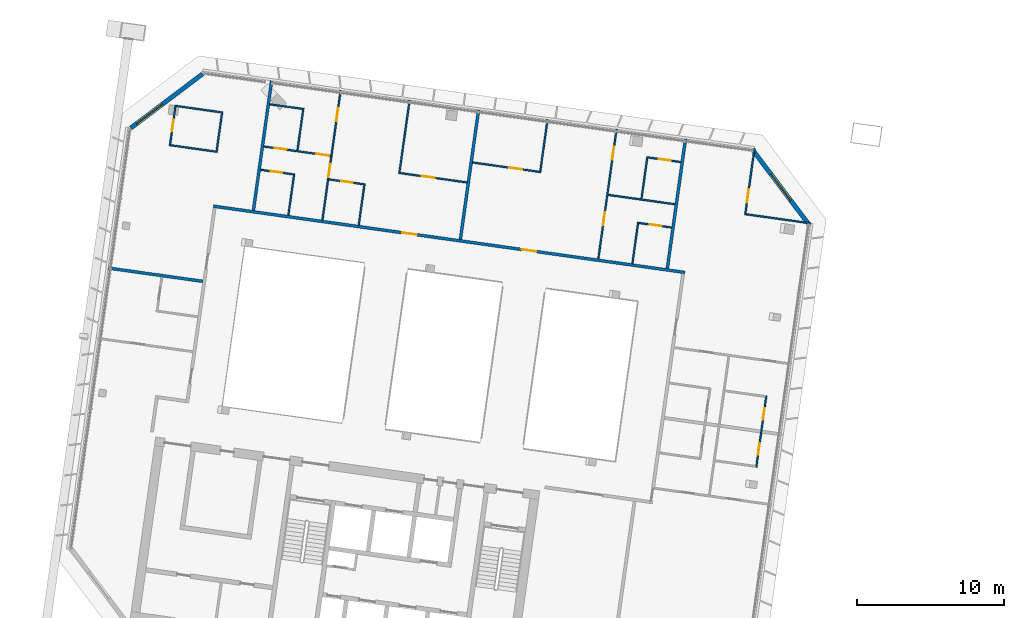
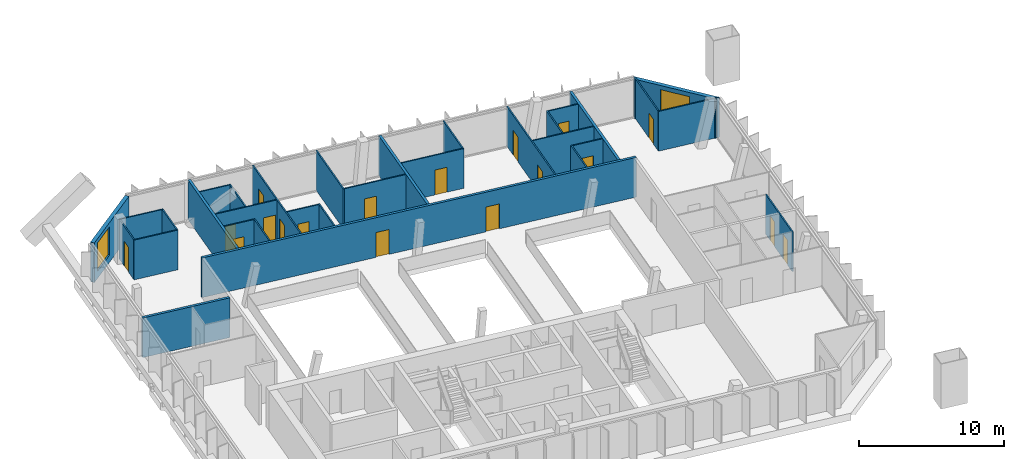
# One storey, part 16 of 25: 32 walls, 18 doors, 2 windows, 20 openings.
"""IFC4 building model written with IfcOpenShell, lengths in metres."""

from ifc_helpers import new_model, si_unit, direction, frame, frame_2d, origin, place, context, subcontext, project, spatial, rectangle, extrude, material, layer, layer_set, type_object, element, fill, save


model = new_model("IFC4")

# Units and contexts
model_context = context("Model", 3, precision=1e-05, world=origin(), true_north=direction((0.0, 1.0)))
body_context = subcontext(model_context, "Body", "Model", "MODEL_VIEW")
ifc_project = project(units=[si_unit("LENGTHUNIT", "METRE"), si_unit("AREAUNIT", "SQUARE_METRE"), si_unit("VOLUMEUNIT", "CUBIC_METRE"), si_unit("PLANEANGLEUNIT", "RADIAN"), si_unit("MASSUNIT", "GRAM", prefix="KILO")], contexts=[model_context])

# Site, building, storey
site_placement = place(None, origin())
site = spatial("IfcSite", under=ifc_project, at=site_placement, CompositionType="ELEMENT")
building_placement = place(site_placement, origin())
building = spatial("IfcBuilding", under=site, at=building_placement, Name="Mirante Cascada Hotel Towers", CompositionType="ELEMENT")
storey_placement = place(building_placement, frame((0.0, 0.0, 247.0)))
storey = spatial("IfcBuildingStorey", under=building, at=storey_placement, Name="L59", CompositionType="ELEMENT", Elevation=247.0)

# Wall
ifc_material_1 = material(Name="Fire-rated plasterboard on metal studs")
ifc_layer_1 = layer(ifc_material_1, 0.2)
ifc_layer_set_1 = layer_set([ifc_layer_1], Name="Compartment wall 200 EI 120")
wall_type_1 = type_object("IfcWallType", Name="Compartment wall 200 EI 120", PredefinedType="PARTITIONING", material=ifc_layer_set_1)
wall_1_placement = place(storey_placement, frame((-64.977, 7.7965, 0.0), z_axis=(0.0, 0.0, 1.0), x_axis=(0.9902688, -0.1391681, 0.0)))
element("IfcWall", 1, at=wall_1_placement, inside=storey, type_object=wall_type_1, Name="Wall 1-L59-13", PredefinedType="PARTITIONING", context=body_context, shape_type="SweptSolid", body=[
    extrude(rectangle(XDim=6.5001, YDim=0.2, at=frame_2d((3.25, 0.0))), origin(), (0.0, 0.0, 1.0), 3.35),
])

# Wall, openings, doors
wall_2_placement = place(storey_placement, frame((-25.7365, 7.4991, 0.0), z_axis=(0.0, 0.0, 1.0), x_axis=(-0.9902681, 0.1391728, 0.0)))
wall_2 = element("IfcWall", 2, at=wall_2_placement, inside=storey, type_object=wall_type_1, Name="Wall 1-L59-14", PredefinedType="PARTITIONING", context=body_context, shape_type="SweptSolid", body=[
    extrude(rectangle(XDim=32.4, YDim=0.2, at=frame_2d((16.2, 0.0))), origin(), (0.0, 0.0, 1.0), 3.35),
])
opening_1_placement = place(wall_2_placement, frame((10.1978, 0.0, 0.0)))
opening_1 = element("IfcOpeningElement", 3, at=opening_1_placement, cuts=wall_2, Name="Opening D1-L59-07", PredefinedType="OPENING", context=body_context, shape_type="SweptSolid", body=[
    extrude(rectangle(XDim=1.0, YDim=2.1, at=frame_2d((0.5, 1.05))), frame((0.0, 0.1, 0.0), z_axis=(0.0, -1.0, 0.0), x_axis=(1.0, 0.0, 0.0)), (0.0, 0.0, 1.0), 0.2),
])
opening_2_placement = place(wall_2_placement, frame((18.4312, 0.0, 0.0)))
opening_2 = element("IfcOpeningElement", 4, at=opening_2_placement, cuts=wall_2, Name="Opening D1-L59-08", PredefinedType="OPENING", context=body_context, shape_type="SweptSolid", body=[
    extrude(rectangle(XDim=1.0, YDim=2.1, at=frame_2d((0.5, 1.05))), frame((0.0, 0.1, 0.0), z_axis=(0.0, -1.0, 0.0), x_axis=(1.0, 0.0, 0.0)), (0.0, 0.0, 1.0), 0.2),
])
ifc_material_2 = material(Name="Fire-rated timber door leaf", Category="wood")
door_type_1 = type_object("IfcDoorType", Name="Entrance door DG1 1000x2100 EI 60", OperationType="SINGLE_SWING_LEFT", PredefinedType="DOOR", material=ifc_material_2)
door_1_placement = place(opening_1_placement, frame((1.0, 0.0, 0.0), z_axis=(0.0, 0.0, 1.0), x_axis=(-1.0, 0.0, 0.0)))
door_1 = element("IfcDoor", 5, at=door_1_placement, inside=storey, type_object=door_type_1, Name="Door D1-L59-07", OperationType="SINGLE_SWING_RIGHT", OverallHeight=2.1, OverallWidth=1.0, PredefinedType="DOOR", context=body_context, shape_type="SweptSolid", body=[
    extrude(rectangle(XDim=1.0, YDim=2.1, at=frame_2d((0.5, 1.05))), frame((0.0, 0.025, 0.0), z_axis=(0.0, -1.0, 0.0), x_axis=(1.0, 0.0, 0.0)), (0.0, 0.0, 1.0), 0.05),
])
fill(opening_1, door_1)
door_2_placement = place(opening_2_placement, frame((1.0, 0.0, 0.0), z_axis=(0.0, 0.0, 1.0), x_axis=(-1.0, 0.0, 0.0)))
door_2 = element("IfcDoor", 6, at=door_2_placement, inside=storey, type_object=door_type_1, Name="Door D1-L59-08", OperationType="SINGLE_SWING_RIGHT", OverallHeight=2.1, OverallWidth=1.0, PredefinedType="DOOR", context=body_context, shape_type="SweptSolid", body=[
    extrude(rectangle(XDim=1.0, YDim=2.1, at=frame_2d((0.5, 1.05))), frame((0.0, 0.025, 0.0), z_axis=(0.0, -1.0, 0.0), x_axis=(1.0, 0.0, 0.0)), (0.0, 0.0, 1.0), 0.05),
])
fill(opening_2, door_2)

# Walls
for number, where, z_axis, x_axis, name in (
    (7, (-26.9276, 7.7675, 0.0), (0.0, 0.0, 1.0), (0.1391684, 0.9902687, 0.0), "Wall 1-L59-34"),
    (8, (-39.7719, 18.5601, 0.0), (0.0, 0.0, 1.0), (-0.1391684, -0.9902687, 0.0), "Wall 1-L59-39"),
    (9, (-53.8549, 20.5393, 0.0), (0.0, 0.0, 1.0), (-0.1391684, -0.9902687, 0.0), "Wall 1-L59-45"),
):
    element("IfcWall", number, at=place(storey_placement, frame(where, z_axis=z_axis, x_axis=x_axis)), inside=storey, type_object=wall_type_1, Name=name, PredefinedType="PARTITIONING", context=body_context, shape_type="SweptSolid", body=[
        extrude(rectangle(XDim=8.9, YDim=0.2, at=frame_2d((4.45, 0.0))), origin(), (0.0, 0.0, 1.0), 3.35),
    ])

# Wall, opening, door
ifc_material_3 = material(Name="Plasterboard on metal studs")
ifc_layer_2 = layer(ifc_material_3, 0.1)
ifc_layer_set_2 = layer_set([ifc_layer_2], Name="Partition 100")
wall_type_2 = type_object("IfcWallType", Name="Partition 100", PredefinedType="PARTITIONING", material=ifc_layer_set_2)
wall_3_placement = place(storey_placement, frame((-28.8651, 10.8673, 0.0), z_axis=(0.0, 0.0, 1.0), x_axis=(0.9902643, -0.1391997, 0.0)))
wall_3 = element("IfcWall", 10, at=wall_3_placement, inside=storey, type_object=wall_type_2, Name="Wall 1-L59-15", PredefinedType="PARTITIONING", context=body_context, shape_type="SweptSolid", body=[
    extrude(rectangle(XDim=2.25, YDim=0.1, at=frame_2d((1.125, 0.0))), origin(), (0.0, 0.0, 1.0), 3.35),
])
opening_3_placement = place(wall_3_placement, frame((0.75, 0.0, 0.0)))
opening_3 = element("IfcOpeningElement", 11, at=opening_3_placement, cuts=wall_3, Name="Opening D1-L59-09", PredefinedType="OPENING", context=body_context, shape_type="SweptSolid", body=[
    extrude(rectangle(XDim=0.8, YDim=2.1, at=frame_2d((0.4, 1.05))), frame((0.0, 0.05, 0.0), z_axis=(0.0, -1.0, 0.0), x_axis=(1.0, 0.0, 0.0)), (0.0, 0.0, 1.0), 0.1),
])
ifc_material_4 = material(Name="Timber door leaf", Category="wood")
door_type_2 = type_object("IfcDoorType", Name="Bathroom door DG4 800x2100", OperationType="SINGLE_SWING_LEFT", PredefinedType="DOOR", material=ifc_material_4)
door_3_placement = place(opening_3_placement, frame((0.8, 0.0, 0.0), z_axis=(0.0, 0.0, 1.0), x_axis=(-1.0, 0.0, 0.0)))
door_3 = element("IfcDoor", 12, at=door_3_placement, inside=storey, type_object=door_type_2, Name="Door D1-L59-09", OperationType="SINGLE_SWING_RIGHT", OverallHeight=2.1, OverallWidth=0.8, PredefinedType="DOOR", context=body_context, shape_type="SweptSolid", body=[
    extrude(rectangle(XDim=0.8, YDim=2.1, at=frame_2d((0.4, 1.05))), frame((0.0, 0.025, 0.0), z_axis=(0.0, -1.0, 0.0), x_axis=(1.0, 0.0, 0.0)), (0.0, 0.0, 1.0), 0.05),
])
fill(opening_3, door_3)

wall_4_placement = place(storey_placement, frame((-47.5885, 13.4987, 0.0), z_axis=(0.0, 0.0, 1.0), x_axis=(-0.9902676, 0.1391761, 0.0)))
wall_4 = element("IfcWall", 13, at=wall_4_placement, inside=storey, type_object=wall_type_2, Name="Wall 1-L59-16", PredefinedType="PARTITIONING", context=body_context, shape_type="SweptSolid", body=[
    extrude(rectangle(XDim=2.3948, YDim=0.1, at=frame_2d((1.1974, 0.0))), origin(), (0.0, 0.0, 1.0), 3.35),
])
opening_4_placement = place(wall_4_placement, frame((0.75, 0.0, 0.0)))
opening_4 = element("IfcOpeningElement", 14, at=opening_4_placement, cuts=wall_4, Name="Opening D1-L59-10", PredefinedType="OPENING", context=body_context, shape_type="SweptSolid", body=[
    extrude(rectangle(XDim=0.8, YDim=2.1, at=frame_2d((0.4, 1.05))), frame((0.0, 0.05, 0.0), z_axis=(0.0, -1.0, 0.0), x_axis=(1.0, 0.0, 0.0)), (0.0, 0.0, 1.0), 0.1),
])
door_4_placement = place(opening_4_placement, frame((0.8, 0.0, 0.0), z_axis=(0.0, 0.0, 1.0), x_axis=(-1.0, 0.0, 0.0)))
door_4 = element("IfcDoor", 15, at=door_4_placement, inside=storey, type_object=door_type_2, Name="Door D1-L59-10", OperationType="SINGLE_SWING_RIGHT", OverallHeight=2.1, OverallWidth=0.8, PredefinedType="DOOR", context=body_context, shape_type="SweptSolid", body=[
    extrude(rectangle(XDim=0.8, YDim=2.1, at=frame_2d((0.4, 1.05))), frame((0.0, 0.025, 0.0), z_axis=(0.0, -1.0, 0.0), x_axis=(1.0, 0.0, 0.0)), (0.0, 0.0, 1.0), 0.05),
])
fill(opening_4, door_4)

wall_5_placement = place(storey_placement, frame((-54.6048, 14.4848, 0.0), z_axis=(0.0, 0.0, 1.0), x_axis=(0.9902643, -0.1391997, 0.0)))
wall_5 = element("IfcWall", 16, at=wall_5_placement, inside=storey, type_object=wall_type_2, Name="Wall 1-L59-17", PredefinedType="PARTITIONING", context=body_context, shape_type="SweptSolid", body=[
    extrude(rectangle(XDim=2.25, YDim=0.1, at=frame_2d((1.125, 0.0))), origin(), (0.0, 0.0, 1.0), 3.35),
])
opening_5_placement = place(wall_5_placement, frame((0.7, 0.0, 0.0)))
opening_5 = element("IfcOpeningElement", 17, at=opening_5_placement, cuts=wall_5, Name="Opening D1-L59-11", PredefinedType="OPENING", context=body_context, shape_type="SweptSolid", body=[
    extrude(rectangle(XDim=0.8, YDim=2.1, at=frame_2d((0.4, 1.05))), frame((0.0, 0.05, 0.0), z_axis=(0.0, -1.0, 0.0), x_axis=(1.0, 0.0, 0.0)), (0.0, 0.0, 1.0), 0.1),
])
door_5_placement = place(opening_5_placement, frame((0.8, 0.0, 0.0), z_axis=(0.0, 0.0, 1.0), x_axis=(-1.0, 0.0, 0.0)))
door_5 = element("IfcDoor", 18, at=door_5_placement, inside=storey, type_object=door_type_2, Name="Door D1-L59-11", OperationType="SINGLE_SWING_RIGHT", OverallHeight=2.1, OverallWidth=0.8, PredefinedType="DOOR", context=body_context, shape_type="SweptSolid", body=[
    extrude(rectangle(XDim=0.8, YDim=2.1, at=frame_2d((0.4, 1.05))), frame((0.0, 0.025, 0.0), z_axis=(0.0, -1.0, 0.0), x_axis=(1.0, 0.0, 0.0)), (0.0, 0.0, 1.0), 0.05),
])
fill(opening_5, door_5)

# Wall
wall_6_placement = place(storey_placement, frame((-57.5538, 15.7071, 0.0), z_axis=(0.0, 0.0, 1.0), x_axis=(-0.9902711, 0.1391513, 0.0)))
element("IfcWall", 19, at=wall_6_placement, inside=storey, type_object=wall_type_2, Name="Wall 1-L59-18", PredefinedType="PARTITIONING", context=body_context, shape_type="SweptSolid", body=[
    extrude(rectangle(XDim=3.3, YDim=0.1, at=frame_2d((1.65, 0.0))), origin(), (0.0, 0.0, 1.0), 3.35),
])

# Wall, opening, door
wall_7_placement = place(storey_placement, frame((-45.1126, 14.2615, 0.0), z_axis=(0.0, 0.0, 1.0), x_axis=(0.9902702, -0.139158, 0.0)))
wall_7 = element("IfcWall", 20, at=wall_7_placement, inside=storey, type_object=wall_type_2, Name="Wall 1-L59-19", PredefinedType="PARTITIONING", context=body_context, shape_type="SweptSolid", body=[
    extrude(rectangle(XDim=4.5905, YDim=0.1, at=frame_2d((2.2952, 0.0))), origin(), (0.0, 0.0, 1.0), 3.35),
])
opening_6_placement = place(wall_7_placement, frame((1.4905, 0.0, 0.0)))
opening_6 = element("IfcOpeningElement", 21, at=opening_6_placement, cuts=wall_7, Name="Opening D1-L59-12", PredefinedType="OPENING", context=body_context, shape_type="SweptSolid", body=[
    extrude(rectangle(XDim=0.9, YDim=2.1, at=frame_2d((0.45, 1.05))), frame((0.0, 0.05, 0.0), z_axis=(0.0, -1.0, 0.0), x_axis=(1.0, 0.0, 0.0)), (0.0, 0.0, 1.0), 0.1),
])
ifc_material_5 = material(Name="Timber door leaf", Category="wood")
door_type_3 = type_object("IfcDoorType", Name="Room door DG3 900x2100", OperationType="SINGLE_SWING_LEFT", PredefinedType="DOOR", material=ifc_material_5)
door_6_placement = place(opening_6_placement, origin())
door_6 = element("IfcDoor", 22, at=door_6_placement, inside=storey, type_object=door_type_3, Name="Door D1-L59-12", OperationType="SINGLE_SWING_LEFT", OverallHeight=2.1, OverallWidth=0.9, PredefinedType="DOOR", context=body_context, shape_type="SweptSolid", body=[
    extrude(rectangle(XDim=0.9, YDim=2.1, at=frame_2d((0.45, 1.05))), frame((0.0, 0.025, 0.0), z_axis=(0.0, -1.0, 0.0), x_axis=(1.0, 0.0, 0.0)), (0.0, 0.0, 1.0), 0.05),
])
fill(opening_6, door_6)

# Walls
wall_8_placement = place(storey_placement, frame((-17.1648, 10.8386, 0.0), z_axis=(0.0, 0.0, 1.0), x_axis=(-0.9902661, 0.1391871, 0.0)))
element("IfcWall", 23, at=wall_8_placement, inside=storey, type_object=wall_type_2, Name="Wall 1-L59-20", PredefinedType="PARTITIONING", context=body_context, shape_type="SweptSolid", body=[
    extrude(rectangle(XDim=4.55, YDim=0.1, at=frame_2d((2.275, 0.0))), origin(), (0.0, 0.0, 1.0), 3.35),
])
wall_9_placement = place(storey_placement, frame((-30.9601, 12.7774, 0.0), z_axis=(0.0, 0.0, 1.0), x_axis=(0.9902702, -0.139158, 0.0)))
element("IfcWall", 24, at=wall_9_placement, inside=storey, type_object=wall_type_2, Name="Wall 1-L59-21", PredefinedType="PARTITIONING", context=body_context, shape_type="SweptSolid", body=[
    extrude(rectangle(XDim=4.5905, YDim=0.1, at=frame_2d((2.2952, 0.0))), origin(), (0.0, 0.0, 1.0), 3.35),
])

# Wall, openings, doors
wall_10_placement = place(storey_placement, frame((-49.8363, 15.4303, 0.0), z_axis=(0.0, 0.0, 1.0), x_axis=(-0.9902672, 0.1391794, 0.0)))
wall_10 = element("IfcWall", 25, at=wall_10_placement, inside=storey, type_object=wall_type_2, Name="Wall 1-L59-22", PredefinedType="PARTITIONING", context=body_context, shape_type="SweptSolid", body=[
    extrude(rectangle(XDim=4.5905, YDim=0.1, at=frame_2d((2.2952, 0.0))), origin(), (0.0, 0.0, 1.0), 3.35),
])
opening_7_placement = place(wall_10_placement, frame((0.1, 0.0, 0.0)))
opening_7 = element("IfcOpeningElement", 26, at=opening_7_placement, cuts=wall_10, Name="Opening D1-L59-13", PredefinedType="OPENING", context=body_context, shape_type="SweptSolid", body=[
    extrude(rectangle(XDim=0.9, YDim=2.1, at=frame_2d((0.45, 1.05))), frame((0.0, 0.05, 0.0), z_axis=(0.0, -1.0, 0.0), x_axis=(1.0, 0.0, 0.0)), (0.0, 0.0, 1.0), 0.1),
])
opening_8_placement = place(wall_10_placement, frame((3.0405, 0.0, 0.0)))
opening_8 = element("IfcOpeningElement", 27, at=opening_8_placement, cuts=wall_10, Name="Opening D1-L59-14", PredefinedType="OPENING", context=body_context, shape_type="SweptSolid", body=[
    extrude(rectangle(XDim=0.8, YDim=2.1, at=frame_2d((0.4, 1.05))), frame((0.0, 0.05, 0.0), z_axis=(0.0, -1.0, 0.0), x_axis=(1.0, 0.0, 0.0)), (0.0, 0.0, 1.0), 0.1),
])
door_7_placement = place(opening_8_placement, origin())
door_7 = element("IfcDoor", 28, at=door_7_placement, inside=storey, type_object=door_type_2, Name="Door D1-L59-14", OperationType="SINGLE_SWING_LEFT", OverallHeight=2.1, OverallWidth=0.8, PredefinedType="DOOR", context=body_context, shape_type="SweptSolid", body=[
    extrude(rectangle(XDim=0.8, YDim=2.1, at=frame_2d((0.4, 1.05))), frame((0.0, 0.025, 0.0), z_axis=(0.0, -1.0, 0.0), x_axis=(1.0, 0.0, 0.0)), (0.0, 0.0, 1.0), 0.05),
])
fill(opening_8, door_7)
door_8_placement = place(opening_7_placement, frame((0.9, 0.0, 0.0), z_axis=(0.0, 0.0, 1.0), x_axis=(-1.0, 0.0, 0.0)))
door_8 = element("IfcDoor", 29, at=door_8_placement, inside=storey, type_object=door_type_3, Name="Door D1-L59-13", OperationType="SINGLE_SWING_RIGHT", OverallHeight=2.1, OverallWidth=0.9, PredefinedType="DOOR", context=body_context, shape_type="SweptSolid", body=[
    extrude(rectangle(XDim=0.9, YDim=2.1, at=frame_2d((0.45, 1.05))), frame((0.0, 0.025, 0.0), z_axis=(0.0, -1.0, 0.0), x_axis=(1.0, 0.0, 0.0)), (0.0, 0.0, 1.0), 0.05),
])
fill(opening_7, door_8)

# Wall, opening, door
wall_11_placement = place(storey_placement, frame((-40.1739, 14.9812, 0.0), z_axis=(0.0, 0.0, 1.0), x_axis=(0.9902676, -0.1391764, 0.0)))
wall_11 = element("IfcWall", 30, at=wall_11_placement, inside=storey, type_object=wall_type_2, Name="Wall 1-L59-23", PredefinedType="PARTITIONING", context=body_context, shape_type="SweptSolid", body=[
    extrude(rectangle(XDim=4.6904, YDim=0.1, at=frame_2d((2.3452, 0.0))), origin(), (0.0, 0.0, 1.0), 3.35),
])
opening_9_placement = place(wall_11_placement, frame((2.5106, 0.0, 0.0)))
opening_9 = element("IfcOpeningElement", 31, at=opening_9_placement, cuts=wall_11, Name="Opening D1-L59-15", PredefinedType="OPENING", context=body_context, shape_type="SweptSolid", body=[
    extrude(rectangle(XDim=0.9, YDim=2.1, at=frame_2d((0.45, 1.05))), frame((0.0, 0.05, 0.0), z_axis=(0.0, -1.0, 0.0), x_axis=(1.0, 0.0, 0.0)), (0.0, 0.0, 1.0), 0.1),
])
door_9_placement = place(opening_9_placement, frame((0.9, 0.0, 0.0), z_axis=(0.0, 0.0, 1.0), x_axis=(-1.0, 0.0, 0.0)))
door_9 = element("IfcDoor", 32, at=door_9_placement, inside=storey, type_object=door_type_3, Name="Door D1-L59-15", OperationType="SINGLE_SWING_RIGHT", OverallHeight=2.1, OverallWidth=0.9, PredefinedType="DOOR", context=body_context, shape_type="SweptSolid", body=[
    extrude(rectangle(XDim=0.9, YDim=2.1, at=frame_2d((0.45, 1.05))), frame((0.0, 0.025, 0.0), z_axis=(0.0, -1.0, 0.0), x_axis=(1.0, 0.0, 0.0)), (0.0, 0.0, 1.0), 0.05),
])
fill(opening_9, door_9)

# Wall
wall_12_placement = place(storey_placement, frame((-57.178, 18.3808, 0.0), z_axis=(0.0, 0.0, 1.0), x_axis=(-0.990267, 0.139181, 0.0)))
element("IfcWall", 33, at=wall_12_placement, inside=storey, type_object=wall_type_2, Name="Wall 1-L59-24", PredefinedType="PARTITIONING", context=body_context, shape_type="SweptSolid", body=[
    extrude(rectangle(XDim=3.3, YDim=0.1, at=frame_2d((1.65, 0.0))), origin(), (0.0, 0.0, 1.0), 3.35),
])

# Wall, opening, door
wall_13_placement = place(storey_placement, frame((-28.2388, 15.3235, 0.0), z_axis=(0.0, 0.0, 1.0), x_axis=(0.9902643, -0.1391997, 0.0)))
wall_13 = element("IfcWall", 34, at=wall_13_placement, inside=storey, type_object=wall_type_2, Name="Wall 1-L59-25", PredefinedType="PARTITIONING", context=body_context, shape_type="SweptSolid", body=[
    extrude(rectangle(XDim=2.25, YDim=0.1, at=frame_2d((1.125, 0.0))), origin(), (0.0, 0.0, 1.0), 3.35),
])
opening_10_placement = place(wall_13_placement, frame((0.75, 0.0, 0.0)))
opening_10 = element("IfcOpeningElement", 35, at=opening_10_placement, cuts=wall_13, Name="Opening D1-L59-16", PredefinedType="OPENING", context=body_context, shape_type="SweptSolid", body=[
    extrude(rectangle(XDim=0.8, YDim=2.1, at=frame_2d((0.4, 1.05))), frame((0.0, 0.05, 0.0), z_axis=(0.0, -1.0, 0.0), x_axis=(1.0, 0.0, 0.0)), (0.0, 0.0, 1.0), 0.1),
])
door_10_placement = place(opening_10_placement, frame((0.8, 0.0, 0.0), z_axis=(0.0, 0.0, 1.0), x_axis=(-1.0, 0.0, 0.0)))
door_10 = element("IfcDoor", 36, at=door_10_placement, inside=storey, type_object=door_type_2, Name="Door D1-L59-16", OperationType="SINGLE_SWING_RIGHT", OverallHeight=2.1, OverallWidth=0.8, PredefinedType="DOOR", context=body_context, shape_type="SweptSolid", body=[
    extrude(rectangle(XDim=0.8, YDim=2.1, at=frame_2d((0.4, 1.05))), frame((0.0, 0.025, 0.0), z_axis=(0.0, -1.0, 0.0), x_axis=(1.0, 0.0, 0.0)), (0.0, 0.0, 1.0), 0.05),
])
fill(opening_10, door_10)

# Wall
wall_14_placement = place(storey_placement, frame((-51.7504, 18.6278, 0.0), z_axis=(0.0, 0.0, 1.0), x_axis=(-0.9902643, 0.1391997, 0.0)))
element("IfcWall", 37, at=wall_14_placement, inside=storey, type_object=wall_type_2, Name="Wall 1-L59-26", PredefinedType="PARTITIONING", context=body_context, shape_type="SweptSolid", body=[
    extrude(rectangle(XDim=2.25, YDim=0.1, at=frame_2d((1.125, 0.0))), origin(), (0.0, 0.0, 1.0), 3.35),
])

# Wall, openings, doors
wall_15_placement = place(storey_placement, frame((-20.1903, -0.9046, 0.0), z_axis=(0.0, 0.0, 1.0), x_axis=(-0.1391638, -0.9902694, 0.0)))
wall_15 = element("IfcWall", 38, at=wall_15_placement, inside=storey, type_object=wall_type_2, Name="Wall 1-L59-27", PredefinedType="PARTITIONING", context=body_context, shape_type="SweptSolid", body=[
    extrude(rectangle(XDim=4.9, YDim=0.1, at=frame_2d((2.45, 0.0))), origin(), (0.0, 0.0, 1.0), 3.35),
])
opening_11_placement = place(wall_15_placement, frame((3.25, 0.0, 0.0)))
opening_11 = element("IfcOpeningElement", 39, at=opening_11_placement, cuts=wall_15, Name="Opening D1-L59-17", PredefinedType="OPENING", context=body_context, shape_type="SweptSolid", body=[
    extrude(rectangle(XDim=0.8, YDim=2.1, at=frame_2d((0.4, 1.05))), frame((0.0, 0.05, 0.0), z_axis=(0.0, -1.0, 0.0), x_axis=(1.0, 0.0, 0.0)), (0.0, 0.0, 1.0), 0.1),
])
opening_12_placement = place(wall_15_placement, frame((0.85, 0.0, 0.0)))
opening_12 = element("IfcOpeningElement", 40, at=opening_12_placement, cuts=wall_15, Name="Opening D1-L59-18", PredefinedType="OPENING", context=body_context, shape_type="SweptSolid", body=[
    extrude(rectangle(XDim=0.8, YDim=2.1, at=frame_2d((0.4, 1.05))), frame((0.0, 0.05, 0.0), z_axis=(0.0, -1.0, 0.0), x_axis=(1.0, 0.0, 0.0)), (0.0, 0.0, 1.0), 0.1),
])
door_11_placement = place(opening_11_placement, frame((0.8, 0.0, 0.0), z_axis=(0.0, 0.0, 1.0), x_axis=(-1.0, 0.0, 0.0)))
door_11 = element("IfcDoor", 41, at=door_11_placement, inside=storey, type_object=door_type_2, Name="Door D1-L59-17", OperationType="SINGLE_SWING_RIGHT", OverallHeight=2.1, OverallWidth=0.8, PredefinedType="DOOR", context=body_context, shape_type="SweptSolid", body=[
    extrude(rectangle(XDim=0.8, YDim=2.1, at=frame_2d((0.4, 1.05))), frame((0.0, 0.025, 0.0), z_axis=(0.0, -1.0, 0.0), x_axis=(1.0, 0.0, 0.0)), (0.0, 0.0, 1.0), 0.05),
])
fill(opening_11, door_11)
door_12_placement = place(opening_12_placement, frame((0.8, 0.0, 0.0), z_axis=(0.0, 0.0, 1.0), x_axis=(-1.0, 0.0, 0.0)))
door_12 = element("IfcDoor", 42, at=door_12_placement, inside=storey, type_object=door_type_2, Name="Door D1-L59-18", OperationType="SINGLE_SWING_RIGHT", OverallHeight=2.1, OverallWidth=0.8, PredefinedType="DOOR", context=body_context, shape_type="SweptSolid", body=[
    extrude(rectangle(XDim=0.8, YDim=2.1, at=frame_2d((0.4, 1.05))), frame((0.0, 0.025, 0.0), z_axis=(0.0, -1.0, 0.0), x_axis=(1.0, 0.0, 0.0)), (0.0, 0.0, 1.0), 0.05),
])
fill(opening_12, door_12)

# Wall, opening, door
wall_16_placement = place(storey_placement, frame((-21.614, 11.5144, 0.0), z_axis=(0.0, 0.0, 1.0), x_axis=(0.1391684, 0.9902687, 0.0)))
wall_16 = element("IfcWall", 43, at=wall_16_placement, inside=storey, type_object=wall_type_2, Name="Wall 1-L59-30", PredefinedType="PARTITIONING", context=body_context, shape_type="SweptSolid", body=[
    extrude(rectangle(XDim=4.45, YDim=0.1, at=frame_2d((2.225, 0.0))), origin(), (0.0, 0.0, 1.0), 3.35),
])
opening_13_placement = place(wall_16_placement, frame((0.75, 0.0, 0.0)))
opening_13 = element("IfcOpeningElement", 44, at=opening_13_placement, cuts=wall_16, Name="Opening D1-L59-20", PredefinedType="OPENING", context=body_context, shape_type="SweptSolid", body=[
    extrude(rectangle(XDim=0.9, YDim=2.1, at=frame_2d((0.45, 1.05))), frame((0.0, 0.05, 0.0), z_axis=(0.0, -1.0, 0.0), x_axis=(1.0, 0.0, 0.0)), (0.0, 0.0, 1.0), 0.1),
])
door_13_placement = place(opening_13_placement, origin())
door_13 = element("IfcDoor", 45, at=door_13_placement, inside=storey, type_object=door_type_3, Name="Door D1-L59-20", OperationType="SINGLE_SWING_LEFT", OverallHeight=2.1, OverallWidth=0.9, PredefinedType="DOOR", context=body_context, shape_type="SweptSolid", body=[
    extrude(rectangle(XDim=0.9, YDim=2.1, at=frame_2d((0.45, 1.05))), frame((0.0, 0.025, 0.0), z_axis=(0.0, -1.0, 0.0), x_axis=(1.0, 0.0, 0.0)), (0.0, 0.0, 1.0), 0.05),
])
fill(opening_13, door_13)

# Walls
wall_17_placement = place(storey_placement, frame((-28.9076, 10.9237, 0.0), z_axis=(0.0, 0.0, 1.0), x_axis=(-0.1391957, -0.9902649, 0.0)))
element("IfcWall", 46, at=wall_17_placement, inside=storey, type_object=wall_type_2, Name="Wall 1-L59-35", PredefinedType="PARTITIONING", context=body_context, shape_type="SweptSolid", body=[
    extrude(rectangle(XDim=2.8499, YDim=0.1, at=frame_2d((1.425, 0.0))), origin(), (0.0, 0.0, 1.0), 3.35),
])
wall_18_placement = place(storey_placement, frame((-28.685, 12.5082, 0.0), z_axis=(0.0, 0.0, 1.0), x_axis=(0.1391714, 0.9902683, 0.0)))
element("IfcWall", 47, at=wall_18_placement, inside=storey, type_object=wall_type_2, Name="Wall 1-L59-36", PredefinedType="PARTITIONING", context=body_context, shape_type="SweptSolid", body=[
    extrude(rectangle(XDim=2.9, YDim=0.1, at=frame_2d((1.45, 0.0))), origin(), (0.0, 0.0, 1.0), 3.35),
])

# Wall, openings, doors
wall_19_placement = place(storey_placement, frame((-30.3834, 17.2406, 0.0), z_axis=(0.0, 0.0, 1.0), x_axis=(-0.1391684, -0.9902687, 0.0)))
wall_19 = element("IfcWall", 48, at=wall_19_placement, inside=storey, type_object=wall_type_2, Name="Wall 1-L59-37", PredefinedType="PARTITIONING", context=body_context, shape_type="SweptSolid", body=[
    extrude(rectangle(XDim=8.9, YDim=0.1, at=frame_2d((4.45, 0.0))), origin(), (0.0, 0.0, 1.0), 3.35),
])
opening_14_placement = place(wall_19_placement, frame((5.7, 0.0, 0.0)))
opening_14 = element("IfcOpeningElement", 49, at=opening_14_placement, cuts=wall_19, Name="Opening D1-L59-25", PredefinedType="OPENING", context=body_context, shape_type="SweptSolid", body=[
    extrude(rectangle(XDim=0.9, YDim=2.1, at=frame_2d((0.45, 1.05))), frame((0.0, 0.05, 0.0), z_axis=(0.0, -1.0, 0.0), x_axis=(1.0, 0.0, 0.0)), (0.0, 0.0, 1.0), 0.1),
])
opening_15_placement = place(wall_19_placement, frame((1.2, 0.0, 0.0)))
opening_15 = element("IfcOpeningElement", 50, at=opening_15_placement, cuts=wall_19, Name="Opening D1-L59-26", PredefinedType="OPENING", context=body_context, shape_type="SweptSolid", body=[
    extrude(rectangle(XDim=0.9, YDim=2.1, at=frame_2d((0.45, 1.05))), frame((0.0, 0.05, 0.0), z_axis=(0.0, -1.0, 0.0), x_axis=(1.0, 0.0, 0.0)), (0.0, 0.0, 1.0), 0.1),
])
door_14_placement = place(opening_14_placement, frame((0.9, 0.0, 0.0), z_axis=(0.0, 0.0, 1.0), x_axis=(-1.0, 0.0, 0.0)))
door_14 = element("IfcDoor", 51, at=door_14_placement, inside=storey, type_object=door_type_3, Name="Door D1-L59-25", OperationType="SINGLE_SWING_RIGHT", OverallHeight=2.1, OverallWidth=0.9, PredefinedType="DOOR", context=body_context, shape_type="SweptSolid", body=[
    extrude(rectangle(XDim=0.9, YDim=2.1, at=frame_2d((0.45, 1.05))), frame((0.0, 0.025, 0.0), z_axis=(0.0, -1.0, 0.0), x_axis=(1.0, 0.0, 0.0)), (0.0, 0.0, 1.0), 0.05),
])
fill(opening_14, door_14)
door_15_placement = place(opening_15_placement, frame((0.9, 0.0, 0.0), z_axis=(0.0, 0.0, 1.0), x_axis=(-1.0, 0.0, 0.0)))
door_15 = element("IfcDoor", 52, at=door_15_placement, inside=storey, type_object=door_type_3, Name="Door D1-L59-26", OperationType="SINGLE_SWING_RIGHT", OverallHeight=2.1, OverallWidth=0.9, PredefinedType="DOOR", context=body_context, shape_type="SweptSolid", body=[
    extrude(rectangle(XDim=0.9, YDim=2.1, at=frame_2d((0.45, 1.05))), frame((0.0, 0.025, 0.0), z_axis=(0.0, -1.0, 0.0), x_axis=(1.0, 0.0, 0.0)), (0.0, 0.0, 1.0), 0.05),
])
fill(opening_15, door_15)

# Walls
wall_20_placement = place(storey_placement, frame((-35.5717, 14.3849, 0.0), z_axis=(0.0, 0.0, 1.0), x_axis=(0.1391849, 0.9902664, 0.0)))
element("IfcWall", 53, at=wall_20_placement, inside=storey, type_object=wall_type_2, Name="Wall 1-L59-38", PredefinedType="PARTITIONING", context=body_context, shape_type="SweptSolid", body=[
    extrude(rectangle(XDim=3.55, YDim=0.1, at=frame_2d((1.775, 0.0))), origin(), (0.0, 0.0, 1.0), 3.35),
])
wall_21_placement = place(storey_placement, frame((-45.1691, 14.219, 0.0), z_axis=(0.0, 0.0, 1.0), x_axis=(0.1391699, 0.9902685, 0.0)))
element("IfcWall", 54, at=wall_21_placement, inside=storey, type_object=wall_type_2, Name="Wall 1-L59-40", PredefinedType="PARTITIONING", context=body_context, shape_type="SweptSolid", body=[
    extrude(rectangle(XDim=5.0499, YDim=0.1, at=frame_2d((2.525, 0.0))), origin(), (0.0, 0.0, 1.0), 3.35),
])
wall_22_placement = place(storey_placement, frame((-47.532, 13.5412, 0.0), z_axis=(0.0, 0.0, 1.0), x_axis=(-0.1391613, -0.9902697, 0.0)))
element("IfcWall", 55, at=wall_22_placement, inside=storey, type_object=wall_type_2, Name="Wall 1-L59-41", PredefinedType="PARTITIONING", context=body_context, shape_type="SweptSolid", body=[
    extrude(rectangle(XDim=2.8499, YDim=0.1, at=frame_2d((1.425, 0.0))), origin(), (0.0, 0.0, 1.0), 3.35),
])

# Wall, openings, doors
wall_23_placement = place(storey_placement, frame((-50.3992, 11.0662, 0.0), z_axis=(0.0, 0.0, 1.0), x_axis=(0.1391794, 0.9902672, 0.0)))
wall_23 = element("IfcWall", 56, at=wall_23_placement, inside=storey, type_object=wall_type_2, Name="Wall 1-L59-42", PredefinedType="PARTITIONING", context=body_context, shape_type="SweptSolid", body=[
    extrude(rectangle(XDim=8.9, YDim=0.1, at=frame_2d((4.45, 0.0))), origin(), (0.0, 0.0, 1.0), 3.35),
])
opening_16_placement = place(wall_23_placement, frame((2.95, 0.0, 0.0)))
opening_16 = element("IfcOpeningElement", 57, at=opening_16_placement, cuts=wall_23, Name="Opening D1-L59-27", PredefinedType="OPENING", context=body_context, shape_type="SweptSolid", body=[
    extrude(rectangle(XDim=0.9, YDim=2.1, at=frame_2d((0.45, 1.05))), frame((0.0, 0.05, 0.0), z_axis=(0.0, -1.0, 0.0), x_axis=(1.0, 0.0, 0.0)), (0.0, 0.0, 1.0), 0.1),
])
opening_17_placement = place(wall_23_placement, frame((6.8, 0.0, 0.0)))
opening_17 = element("IfcOpeningElement", 58, at=opening_17_placement, cuts=wall_23, Name="Opening D1-L59-28", PredefinedType="OPENING", context=body_context, shape_type="SweptSolid", body=[
    extrude(rectangle(XDim=0.9, YDim=2.1, at=frame_2d((0.45, 1.05))), frame((0.0, 0.05, 0.0), z_axis=(0.0, -1.0, 0.0), x_axis=(1.0, 0.0, 0.0)), (0.0, 0.0, 1.0), 0.1),
])
door_16_placement = place(opening_16_placement, frame((0.9, 0.0, 0.0), z_axis=(0.0, 0.0, 1.0), x_axis=(-1.0, 0.0, 0.0)))
door_16 = element("IfcDoor", 59, at=door_16_placement, inside=storey, type_object=door_type_3, Name="Door D1-L59-27", OperationType="SINGLE_SWING_RIGHT", OverallHeight=2.1, OverallWidth=0.9, PredefinedType="DOOR", context=body_context, shape_type="SweptSolid", body=[
    extrude(rectangle(XDim=0.9, YDim=2.1, at=frame_2d((0.45, 1.05))), frame((0.0, 0.025, 0.0), z_axis=(0.0, -1.0, 0.0), x_axis=(1.0, 0.0, 0.0)), (0.0, 0.0, 1.0), 0.05),
])
fill(opening_16, door_16)
door_17_placement = place(opening_17_placement, frame((0.9, 0.0, 0.0), z_axis=(0.0, 0.0, 1.0), x_axis=(-1.0, 0.0, 0.0)))
door_17 = element("IfcDoor", 60, at=door_17_placement, inside=storey, type_object=door_type_3, Name="Door D1-L59-28", OperationType="SINGLE_SWING_RIGHT", OverallHeight=2.1, OverallWidth=0.9, PredefinedType="DOOR", context=body_context, shape_type="SweptSolid", body=[
    extrude(rectangle(XDim=0.9, YDim=2.1, at=frame_2d((0.45, 1.05))), frame((0.0, 0.025, 0.0), z_axis=(0.0, -1.0, 0.0), x_axis=(1.0, 0.0, 0.0)), (0.0, 0.0, 1.0), 0.05),
])
fill(opening_17, door_17)

# Walls
wall_24_placement = place(storey_placement, frame((-52.3202, 14.2142, 0.0), z_axis=(0.0, 0.0, 1.0), x_axis=(-0.1391909, -0.9902656, 0.0)))
element("IfcWall", 61, at=wall_24_placement, inside=storey, type_object=wall_type_2, Name="Wall 1-L59-43", PredefinedType="PARTITIONING", context=body_context, shape_type="SweptSolid", body=[
    extrude(rectangle(XDim=2.85, YDim=0.1, at=frame_2d((1.425, 0.0))), origin(), (0.0, 0.0, 1.0), 3.35),
])
wall_25_placement = place(storey_placement, frame((-52.0976, 15.7986, 0.0), z_axis=(0.0, 0.0, 1.0), x_axis=(0.1391714, 0.9902683, 0.0)))
element("IfcWall", 62, at=wall_25_placement, inside=storey, type_object=wall_type_2, Name="Wall 1-L59-44", PredefinedType="PARTITIONING", context=body_context, shape_type="SweptSolid", body=[
    extrude(rectangle(XDim=2.9, YDim=0.1, at=frame_2d((1.45, 0.0))), origin(), (0.0, 0.0, 1.0), 3.35),
])
wall_26_placement = place(storey_placement, frame((-57.2345, 18.3382, 0.0), z_axis=(0.0, 0.0, 1.0), x_axis=(-0.1391918, -0.9902654, 0.0)))
element("IfcWall", 63, at=wall_26_placement, inside=storey, type_object=wall_type_2, Name="Wall 1-L59-47", PredefinedType="PARTITIONING", context=body_context, shape_type="SweptSolid", body=[
    extrude(rectangle(XDim=2.6, YDim=0.1, at=frame_2d((1.3, 0.0))), origin(), (0.0, 0.0, 1.0), 3.35),
])

# Wall, opening, door
wall_27_placement = place(storey_placement, frame((-60.7652, 16.2089, 0.0), z_axis=(0.0, 0.0, 1.0), x_axis=(0.1391541, 0.9902707, 0.0)))
wall_27 = element("IfcWall", 64, at=wall_27_placement, inside=storey, type_object=wall_type_2, Name="Wall 1-L59-50", PredefinedType="PARTITIONING", context=body_context, shape_type="SweptSolid", body=[
    extrude(rectangle(XDim=2.6, YDim=0.1, at=frame_2d((1.3, 0.0))), origin(), (0.0, 0.0, 1.0), 3.35),
])
opening_18_placement = place(wall_27_placement, frame((0.9, 0.0, 0.0)))
opening_18 = element("IfcOpeningElement", 65, at=opening_18_placement, cuts=wall_27, Name="Opening D1-L59-32", PredefinedType="OPENING", context=body_context, shape_type="SweptSolid", body=[
    extrude(rectangle(XDim=0.8, YDim=2.1, at=frame_2d((0.4, 1.05))), frame((0.0, 0.05, 0.0), z_axis=(0.0, -1.0, 0.0), x_axis=(1.0, 0.0, 0.0)), (0.0, 0.0, 1.0), 0.1),
])
door_18_placement = place(opening_18_placement, frame((0.8, 0.0, 0.0), z_axis=(0.0, 0.0, 1.0), x_axis=(-1.0, 0.0, 0.0)))
door_18 = element("IfcDoor", 66, at=door_18_placement, inside=storey, type_object=door_type_2, Name="Door D1-L59-32", OperationType="SINGLE_SWING_RIGHT", OverallHeight=2.1, OverallWidth=0.8, PredefinedType="DOOR", context=body_context, shape_type="SweptSolid", body=[
    extrude(rectangle(XDim=0.8, YDim=2.1, at=frame_2d((0.4, 1.05))), frame((0.0, 0.025, 0.0), z_axis=(0.0, -1.0, 0.0), x_axis=(1.0, 0.0, 0.0)), (0.0, 0.0, 1.0), 0.05),
])
fill(opening_18, door_18)

# Wall, opening, window
ifc_material_6 = material(Name="Precast concrete C40/50", Category="concrete")
ifc_layer_3 = layer(ifc_material_6, 0.3)
ifc_layer_set_3 = layer_set([ifc_layer_3], Name="Precast concrete C40/50 cladding wall 300")
wall_type_3 = type_object("IfcWallType", Name="Precast concrete C40/50 cladding wall 300", PredefinedType="STANDARD", material=ifc_layer_set_3)
wall_28_placement = place(storey_placement, frame((-63.4422, 17.324, 0.0), z_axis=(0.0, 0.0, 1.0), x_axis=(0.7986362, 0.6018141, 0.0)))
wall_28 = element("IfcWall", 67, at=wall_28_placement, inside=storey, type_object=wall_type_3, Name="Corner cladding wall T1 L59 outer front", PredefinedType="STANDARD", context=body_context, shape_type="SweptSolid", body=[
    extrude(rectangle(XDim=6.1157, YDim=0.3, at=frame_2d((3.0578, 0.0))), origin(), (0.0, 0.0, 1.0), 3.35),
])
opening_19_placement = place(wall_28_placement, frame((0.4975, 0.0, 0.6)))
opening_19 = element("IfcOpeningElement", 68, at=opening_19_placement, cuts=wall_28, Name="Opening W1-59-04", PredefinedType="OPENING", context=body_context, shape_type="SweptSolid", body=[
    extrude(rectangle(XDim=2.2, YDim=2.4, at=frame_2d((1.1, 1.2))), frame((0.0, 0.15, 0.0), z_axis=(0.0, -1.0, 0.0), x_axis=(1.0, 0.0, 0.0)), (0.0, 0.0, 1.0), 0.3),
])
ifc_material_7 = material(Name="Aluminium frame with clear double glazing", Category="aluminium")
window_type = type_object("IfcWindowType", Name="Corner suite window 2200x2400", PartitioningType="DOUBLE_PANEL_VERTICAL", PredefinedType="WINDOW", material=ifc_material_7)
window_1_placement = place(opening_19_placement, origin())
window_1 = element("IfcWindow", 69, at=window_1_placement, inside=storey, type_object=window_type, Name="Window W1-59-04", OverallHeight=2.4, OverallWidth=2.2, PartitioningType="SINGLE_PANEL", PredefinedType="WINDOW", context=body_context, shape_type="SweptSolid", body=[
    extrude(rectangle(XDim=2.2, YDim=2.4, at=frame_2d((1.1, 1.2))), frame((0.0, 0.03, 0.0), z_axis=(0.0, -1.0, 0.0), x_axis=(1.0, 0.0, 0.0)), (0.0, 0.0, 1.0), 0.06),
])
fill(opening_19, window_1)

wall_29_placement = place(storey_placement, frame((-21.0398, 15.7317, 0.0), z_axis=(0.0, 0.0, 1.0), x_axis=(0.6018141, -0.7986362, 0.0)))
wall_29 = element("IfcWall", 70, at=wall_29_placement, inside=storey, type_object=wall_type_3, Name="Corner cladding wall T1 L59 front inner", PredefinedType="STANDARD", context=body_context, shape_type="SweptSolid", body=[
    extrude(rectangle(XDim=6.1157, YDim=0.3, at=frame_2d((3.0578, 0.0))), origin(), (0.0, 0.0, 1.0), 3.35),
])
opening_20_placement = place(wall_29_placement, frame((1.9578, 0.0, 0.6)))
opening_20 = element("IfcOpeningElement", 71, at=opening_20_placement, cuts=wall_29, Name="Opening W1-59-05", PredefinedType="OPENING", context=body_context, shape_type="SweptSolid", body=[
    extrude(rectangle(XDim=2.2, YDim=2.4, at=frame_2d((1.1, 1.2))), frame((0.0, 0.15, 0.0), z_axis=(0.0, -1.0, 0.0), x_axis=(1.0, 0.0, 0.0)), (0.0, 0.0, 1.0), 0.3),
])
window_2_placement = place(opening_20_placement, origin())
window_2 = element("IfcWindow", 72, at=window_2_placement, inside=storey, type_object=window_type, Name="Window W1-59-05", OverallHeight=2.4, OverallWidth=2.2, PartitioningType="SINGLE_PANEL", PredefinedType="WINDOW", context=body_context, shape_type="SweptSolid", body=[
    extrude(rectangle(XDim=2.2, YDim=2.4, at=frame_2d((1.1, 1.2))), frame((0.0, 0.03, 0.0), z_axis=(0.0, -1.0, 0.0), x_axis=(1.0, 0.0, 0.0)), (0.0, 0.0, 1.0), 0.06),
])
fill(opening_20, window_2)

save(model, "model.ifc")
